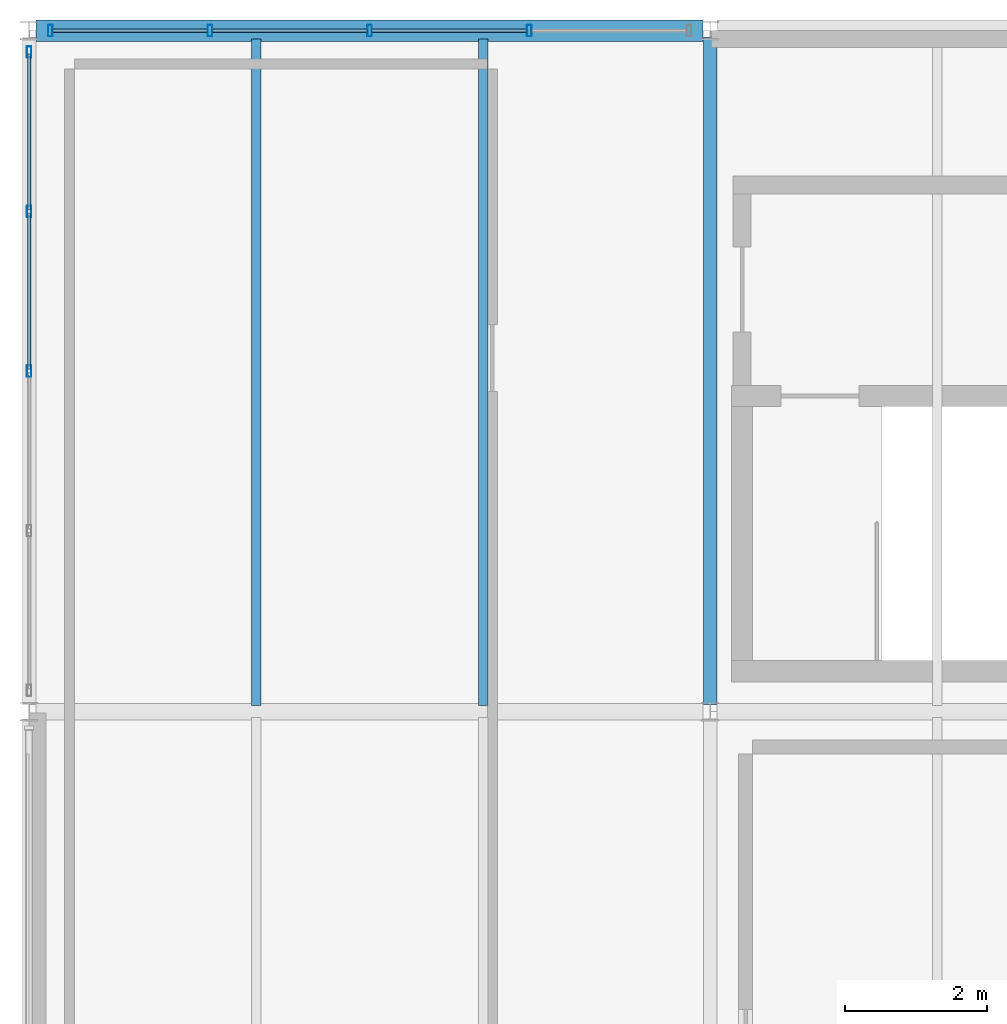
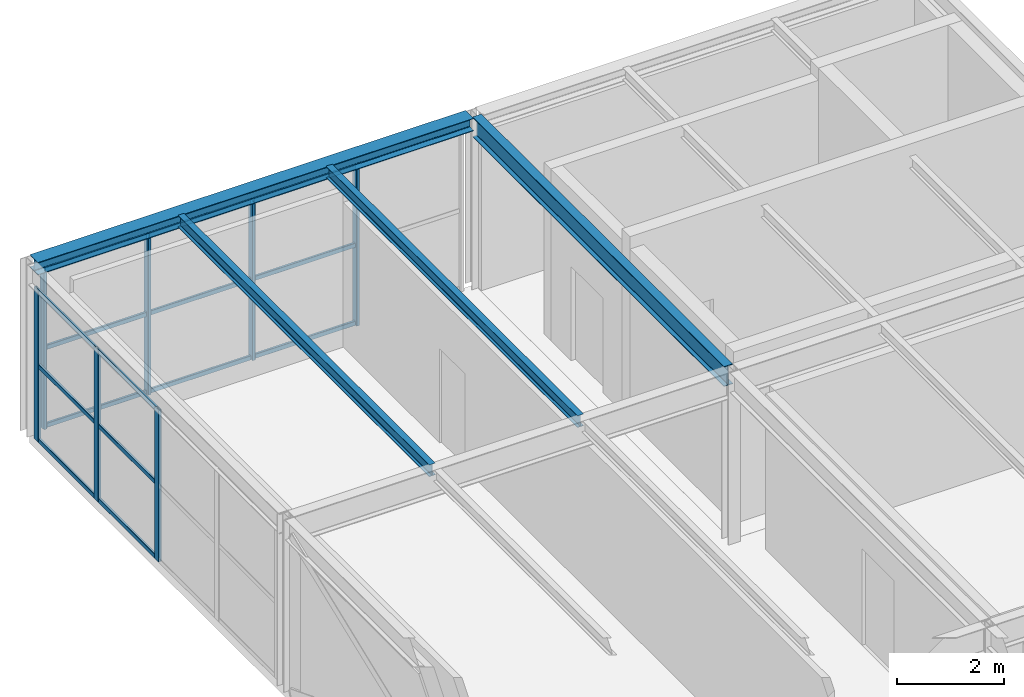
# One storey, part 26 of 33: 22 members, 4 beams, 2 elements without a shape of their own.
"""IFC4 building model written with IfcOpenShell, lengths in metres."""

from ifc_helpers import new_model, si_unit, direction, frame, origin, origin_2d, place, context, subcontext, project, spatial, hollow_rectangle, i_section, extrude, material, material_profile, profile_set, type_object, element, aggregate, save


model = new_model("IFC4")

# Units and contexts
model_context = context("Model", 3, precision=1e-05, world=origin(), true_north=direction((0.0, 1.0)))
body_context = subcontext(model_context, "Body", "Model", "MODEL_VIEW")
ifc_project = project(units=[si_unit("LENGTHUNIT", "METRE"), si_unit("AREAUNIT", "SQUARE_METRE"), si_unit("VOLUMEUNIT", "CUBIC_METRE"), si_unit("PLANEANGLEUNIT", "RADIAN"), si_unit("MASSUNIT", "GRAM", prefix="KILO")], contexts=[model_context])

# Site, building, storey
site_placement = place(None, origin())
site = spatial("IfcSite", under=ifc_project, at=site_placement, CompositionType="ELEMENT")
building_placement = place(site_placement, origin())
building = spatial("IfcBuilding", under=site, at=building_placement, Name="Coralgate Yard Interchange", CompositionType="ELEMENT")
storey_placement = place(building_placement, frame((0.0, 0.0, 23.10009765625)))
storey = spatial("IfcBuildingStorey", under=building, at=storey_placement, Name="L05", CompositionType="ELEMENT", Elevation=23.10009765625)

# Beams
ifc_material_1 = material(Name="Structural steel S355J2", Category="steel")
ifc_material_profile_1 = material_profile(ifc_material_1, i_section(OverallWidth=0.1904296875, OverallDepth=0.45703125, WebThickness=0.009033203125, FlangeThickness=0.014404296875, FilletRadius=0.01025390625, at=origin_2d()), Name="UB 457x191x74")
ifc_profile_set_1 = profile_set([ifc_material_profile_1], Name="Structural steel S355J2")
beam_type_1 = type_object("IfcBeamType", Name="BM-SB-2", PredefinedType="BEAM", material=ifc_profile_set_1)
beam_1_placement = place(storey_placement, frame((9.60009765625, 28.900146484375, 3.69140625), z_axis=(0.0, 1.0, 0.0), x_axis=(-1.0, 0.0, 0.0)))
element("IfcBeam", 1, at=beam_1_placement, inside=storey, type_object=beam_type_1, Name="L05 primary grid girder X1 Y3-4", PredefinedType="BEAM", context=body_context, shape_type="SweptSolid", body=[
    extrude(i_section(OverallWidth=0.1904296875, OverallDepth=0.45703125, WebThickness=0.009033203125, FlangeThickness=0.014404296875, FilletRadius=0.01025390625, at=origin_2d()), origin(), (0.0, 0.0, 1.0), 9.399658203125),
])
ifc_material_profile_2 = material_profile(ifc_material_1, i_section(OverallWidth=0.135009765625, OverallDepth=0.27001953125, WebThickness=0.006591796875, FlangeThickness=0.01025390625, FilletRadius=0.014892578125, at=origin_2d()), Name="IPE 270")
ifc_profile_set_2 = profile_set([ifc_material_profile_2], Name="Structural steel S355J2")
beam_type_2 = type_object("IfcBeamType", Name="BM-SJ-3", PredefinedType="JOIST", material=ifc_profile_set_2)
for number, where, z_axis, x_axis, name in (
    (2, (3.199951171875, 28.884033203125, 3.784912109375), (0.0, 1.0, 0.0), (-1.0, 0.0, 0.0), "L05 composite floor joist 0-3-1"),
    (3, (6.39990234375, 28.884033203125, 3.784912109375), (0.0, 1.0, 0.0), (-1.0, 0.0, 0.0), "L05 composite floor joist 0-3-2"),
):
    element("IfcBeam", number, at=place(storey_placement, frame(where, z_axis=z_axis, x_axis=x_axis)), inside=storey, type_object=beam_type_2, Name=name, PredefinedType="JOIST", context=body_context, shape_type="SweptSolid", body=[
        extrude(i_section(OverallWidth=0.135009765625, OverallDepth=0.27001953125, WebThickness=0.006591796875, FlangeThickness=0.01025390625, FilletRadius=0.014892578125, at=origin_2d()), origin(), (0.0, 0.0, 1.0), 9.39599609375),
    ])
ifc_material_profile_3 = material_profile(ifc_material_1, i_section(OverallWidth=0.300048828125, OverallDepth=0.2900390625, WebThickness=0.008544921875, FlangeThickness=0.013916015625, FilletRadius=0.027099609375, at=origin_2d()), Name="HEA 300")
ifc_profile_set_3 = profile_set([ifc_material_profile_3], Name="Structural steel S355J2")
beam_type_3 = type_object("IfcBeamType", Name="BM-SP-2", PredefinedType="SPANDREL", material=ifc_profile_set_3)
beam_2_placement = place(storey_placement, frame((0.09814453125, 38.39990234375, 3.77490234375), z_axis=(1.0, 0.0, 0.0), x_axis=(0.0, 1.0, 0.0)))
element("IfcBeam", 4, at=beam_2_placement, inside=storey, type_object=beam_type_3, Name="L05 primary grid beam Y4 X0-1", PredefinedType="SPANDREL", context=body_context, shape_type="SweptSolid", body=[
    extrude(i_section(OverallWidth=0.300048828125, OverallDepth=0.2900390625, WebThickness=0.008544921875, FlangeThickness=0.013916015625, FilletRadius=0.027099609375, at=origin_2d()), origin(), (0.0, 0.0, 1.0), 9.403564453125),
])

# Curtain wall, members
ifc_material_2 = material(Name="Anodised coastal aluminium and solar-control low-E glass", Category="aluminium")
curtain_wall_type = type_object("IfcCurtainWallType", Name="CW-CW-L05-A", PredefinedType="NOTDEFINED", material=ifc_material_2)
curtain_wall_1_placement = place(storey_placement, origin())
curtain_wall_1 = element("IfcCurtainWall", 5, at=curtain_wall_1_placement, inside=storey, type_object=curtain_wall_type, Name="L05 unitised curtain wall CW-L05-W-00-03", PredefinedType="NOTDEFINED")
ifc_material_3 = material(Name="Anodised coastal aluminium 6063-T6", Category="aluminium")
ifc_material_profile_4 = material_profile(ifc_material_3, hollow_rectangle(XDim=0.06494140625, YDim=0.159912109375, WallThickness=0.00390625, InnerFilletRadius=0.00390625, OuterFilletRadius=0.008056640625, at=origin_2d()), Name="ALU 65x160x4")
ifc_profile_set_4 = profile_set([ifc_material_profile_4], Name="Anodised coastal aluminium 6063-T6")
member_type_1 = type_object("IfcMemberType", Name="MB-MUL-160", PredefinedType="MULLION", material=ifc_profile_set_4)
member_1_placement = place(storey_placement, frame((0.0, 33.60009765625, 0.0), z_axis=(0.0, 0.0, 1.0), x_axis=(1.0, 0.0, 0.0)))
member_1 = element("IfcMember", 6, at=member_1_placement, type_object=member_type_1, Name="CW-L05-W-00-03 vertical mullion 3", PredefinedType="MULLION", context=body_context, shape_type="SweptSolid", body=[
    extrude(hollow_rectangle(XDim=0.06494140625, YDim=0.159912109375, WallThickness=0.00390625, InnerFilletRadius=0.00390625, OuterFilletRadius=0.008056640625, at=origin_2d()), origin(), (0.0, 0.0, 1.0), 3.462890625),
])
member_2_placement = place(storey_placement, frame((0.0, 35.85009765625, 0.0), z_axis=(0.0, 0.0, 1.0), x_axis=(1.0, 0.0, 0.0)))
member_2 = element("IfcMember", 7, at=member_2_placement, type_object=member_type_1, Name="CW-L05-W-00-03 vertical mullion 4", PredefinedType="MULLION", context=body_context, shape_type="SweptSolid", body=[
    extrude(hollow_rectangle(XDim=0.06494140625, YDim=0.159912109375, WallThickness=0.00390625, InnerFilletRadius=0.00390625, OuterFilletRadius=0.008056640625, at=origin_2d()), origin(), (0.0, 0.0, 1.0), 3.462890625),
])
member_3_placement = place(storey_placement, frame((0.0, 38.10009765625, 0.0), z_axis=(0.0, 0.0, 1.0), x_axis=(1.0, 0.0, 0.0)))
member_3 = element("IfcMember", 8, at=member_3_placement, type_object=member_type_1, Name="CW-L05-W-00-03 vertical mullion 5", PredefinedType="MULLION", context=body_context, shape_type="SweptSolid", body=[
    extrude(hollow_rectangle(XDim=0.06494140625, YDim=0.159912109375, WallThickness=0.00390625, InnerFilletRadius=0.00390625, OuterFilletRadius=0.008056640625, at=origin_2d()), origin(), (0.0, 0.0, 1.0), 3.462890625),
])

curtain_wall_2_placement = place(storey_placement, origin())
curtain_wall_2 = element("IfcCurtainWall", 9, at=curtain_wall_2_placement, inside=storey, type_object=curtain_wall_type, Name="L05 unitised curtain wall CW-L05-N-00-03", PredefinedType="NOTDEFINED")
member_4_placement = place(storey_placement, frame((0.300048828125, 38.39990234375, 0.0), z_axis=(0.0, 0.0, 1.0), x_axis=(1.0, 0.0, 0.0)))
member_4 = element("IfcMember", 10, at=member_4_placement, type_object=member_type_1, Name="CW-L05-N-00-03 vertical mullion 1", PredefinedType="MULLION", context=body_context, shape_type="SweptSolid", body=[
    extrude(hollow_rectangle(XDim=0.06494140625, YDim=0.159912109375, WallThickness=0.00390625, InnerFilletRadius=0.00390625, OuterFilletRadius=0.008056640625, at=origin_2d()), origin(), (0.0, 0.0, 1.0), 3.6298828125),
])
member_5_placement = place(storey_placement, frame((2.550048828125, 38.39990234375, 0.0), z_axis=(0.0, 0.0, 1.0), x_axis=(1.0, 0.0, 0.0)))
member_5 = element("IfcMember", 11, at=member_5_placement, type_object=member_type_1, Name="CW-L05-N-00-03 vertical mullion 2", PredefinedType="MULLION", context=body_context, shape_type="SweptSolid", body=[
    extrude(hollow_rectangle(XDim=0.06494140625, YDim=0.159912109375, WallThickness=0.00390625, InnerFilletRadius=0.00390625, OuterFilletRadius=0.008056640625, at=origin_2d()), origin(), (0.0, 0.0, 1.0), 3.6298828125),
])
member_6_placement = place(storey_placement, frame((4.800048828125, 38.39990234375, 0.0), z_axis=(0.0, 0.0, 1.0), x_axis=(1.0, 0.0, 0.0)))
member_6 = element("IfcMember", 12, at=member_6_placement, type_object=member_type_1, Name="CW-L05-N-00-03 vertical mullion 3", PredefinedType="MULLION", context=body_context, shape_type="SweptSolid", body=[
    extrude(hollow_rectangle(XDim=0.06494140625, YDim=0.159912109375, WallThickness=0.00390625, InnerFilletRadius=0.00390625, OuterFilletRadius=0.008056640625, at=origin_2d()), origin(), (0.0, 0.0, 1.0), 3.6298828125),
])
member_7_placement = place(storey_placement, frame((7.050048828125, 38.39990234375, 0.0), z_axis=(0.0, 0.0, 1.0), x_axis=(1.0, 0.0, 0.0)))
member_7 = element("IfcMember", 13, at=member_7_placement, type_object=member_type_1, Name="CW-L05-N-00-03 vertical mullion 4", PredefinedType="MULLION", context=body_context, shape_type="SweptSolid", body=[
    extrude(hollow_rectangle(XDim=0.06494140625, YDim=0.159912109375, WallThickness=0.00390625, InnerFilletRadius=0.00390625, OuterFilletRadius=0.008056640625, at=origin_2d()), origin(), (0.0, 0.0, 1.0), 3.6298828125),
])

# Member
ifc_material_profile_5 = material_profile(ifc_material_3, hollow_rectangle(XDim=0.050048828125, YDim=0.10009765625, WallThickness=0.0029296875, InnerFilletRadius=0.0029296875, OuterFilletRadius=0.006103515625, at=origin_2d()), Name="ALU 50x100x3")
ifc_profile_set_5 = profile_set([ifc_material_profile_5], Name="Anodised coastal aluminium 6063-T6")
member_type_2 = type_object("IfcMemberType", Name="MB-TRN-100", PredefinedType="USERDEFINED", material=ifc_profile_set_5)
member_8_placement = place(storey_placement, frame((0.0, 33.6298828125, 0.034912109375), z_axis=(0.0, 1.0, 0.0), x_axis=(-1.0, 0.0, 0.0)))
member_8 = element("IfcMember", 14, at=member_8_placement, type_object=member_type_2, Name="CW-L05-W-00-03 horizontal transom 3-1", ObjectType="TRANSOM", PredefinedType="USERDEFINED", context=body_context, shape_type="SweptSolid", body=[
    extrude(hollow_rectangle(XDim=0.050048828125, YDim=0.10009765625, WallThickness=0.0029296875, InnerFilletRadius=0.0029296875, OuterFilletRadius=0.006103515625, at=origin_2d()), origin(), (0.0, 0.0, 1.0), 2.190185546875),
])

member_9_placement = place(storey_placement, frame((0.0, 33.6298828125, 1.7314453125), z_axis=(0.0, 1.0, 0.0), x_axis=(-1.0, 0.0, 0.0)))
member_9 = element("IfcMember", 15, at=member_9_placement, type_object=member_type_2, Name="CW-L05-W-00-03 horizontal transom 3-2", ObjectType="TRANSOM", PredefinedType="USERDEFINED", context=body_context, shape_type="SweptSolid", body=[
    extrude(hollow_rectangle(XDim=0.050048828125, YDim=0.10009765625, WallThickness=0.0029296875, InnerFilletRadius=0.0029296875, OuterFilletRadius=0.006103515625, at=origin_2d()), origin(), (0.0, 0.0, 1.0), 2.190185546875),
])

member_10_placement = place(storey_placement, frame((0.0, 33.6298828125, 3.427978515625), z_axis=(0.0, 1.0, 0.0), x_axis=(-1.0, 0.0, 0.0)))
member_10 = element("IfcMember", 16, at=member_10_placement, type_object=member_type_2, Name="CW-L05-W-00-03 horizontal transom 3-3", ObjectType="TRANSOM", PredefinedType="USERDEFINED", context=body_context, shape_type="SweptSolid", body=[
    extrude(hollow_rectangle(XDim=0.050048828125, YDim=0.10009765625, WallThickness=0.0029296875, InnerFilletRadius=0.0029296875, OuterFilletRadius=0.006103515625, at=origin_2d()), origin(), (0.0, 0.0, 1.0), 2.190185546875),
])

member_11_placement = place(storey_placement, frame((0.0, 35.8798828125, 0.034912109375), z_axis=(0.0, 1.0, 0.0), x_axis=(-1.0, 0.0, 0.0)))
member_11 = element("IfcMember", 17, at=member_11_placement, type_object=member_type_2, Name="CW-L05-W-00-03 horizontal transom 4-1", ObjectType="TRANSOM", PredefinedType="USERDEFINED", context=body_context, shape_type="SweptSolid", body=[
    extrude(hollow_rectangle(XDim=0.050048828125, YDim=0.10009765625, WallThickness=0.0029296875, InnerFilletRadius=0.0029296875, OuterFilletRadius=0.006103515625, at=origin_2d()), origin(), (0.0, 0.0, 1.0), 2.190185546875),
])

member_12_placement = place(storey_placement, frame((0.0, 35.8798828125, 1.7314453125), z_axis=(0.0, 1.0, 0.0), x_axis=(-1.0, 0.0, 0.0)))
member_12 = element("IfcMember", 18, at=member_12_placement, type_object=member_type_2, Name="CW-L05-W-00-03 horizontal transom 4-2", ObjectType="TRANSOM", PredefinedType="USERDEFINED", context=body_context, shape_type="SweptSolid", body=[
    extrude(hollow_rectangle(XDim=0.050048828125, YDim=0.10009765625, WallThickness=0.0029296875, InnerFilletRadius=0.0029296875, OuterFilletRadius=0.006103515625, at=origin_2d()), origin(), (0.0, 0.0, 1.0), 2.190185546875),
])

member_13_placement = place(storey_placement, frame((0.0, 35.8798828125, 3.427978515625), z_axis=(0.0, 1.0, 0.0), x_axis=(-1.0, 0.0, 0.0)))
member_13 = element("IfcMember", 19, at=member_13_placement, type_object=member_type_2, Name="CW-L05-W-00-03 horizontal transom 4-3", ObjectType="TRANSOM", PredefinedType="USERDEFINED", context=body_context, shape_type="SweptSolid", body=[
    extrude(hollow_rectangle(XDim=0.050048828125, YDim=0.10009765625, WallThickness=0.0029296875, InnerFilletRadius=0.0029296875, OuterFilletRadius=0.006103515625, at=origin_2d()), origin(), (0.0, 0.0, 1.0), 2.190185546875),
])

aggregate(curtain_wall_1, [member_1, member_2, member_3, member_8, member_9, member_10, member_11, member_12, member_13])

member_14_placement = place(storey_placement, frame((0.330078125, 38.39990234375, 0.034912109375), z_axis=(1.0, 0.0, 0.0), x_axis=(0.0, 1.0, 0.0)))
member_14 = element("IfcMember", 20, at=member_14_placement, type_object=member_type_2, Name="CW-L05-N-00-03 horizontal transom 1-1", ObjectType="TRANSOM", PredefinedType="USERDEFINED", context=body_context, shape_type="SweptSolid", body=[
    extrude(hollow_rectangle(XDim=0.050048828125, YDim=0.10009765625, WallThickness=0.0029296875, InnerFilletRadius=0.0029296875, OuterFilletRadius=0.006103515625, at=origin_2d()), origin(), (0.0, 0.0, 1.0), 2.18994140625),
])

member_15_placement = place(storey_placement, frame((0.330078125, 38.39990234375, 1.81494140625), z_axis=(1.0, 0.0, 0.0), x_axis=(0.0, 1.0, 0.0)))
member_15 = element("IfcMember", 21, at=member_15_placement, type_object=member_type_2, Name="CW-L05-N-00-03 horizontal transom 1-2", ObjectType="TRANSOM", PredefinedType="USERDEFINED", context=body_context, shape_type="SweptSolid", body=[
    extrude(hollow_rectangle(XDim=0.050048828125, YDim=0.10009765625, WallThickness=0.0029296875, InnerFilletRadius=0.0029296875, OuterFilletRadius=0.006103515625, at=origin_2d()), origin(), (0.0, 0.0, 1.0), 2.18994140625),
])

member_16_placement = place(storey_placement, frame((0.330078125, 38.39990234375, 3.594970703125), z_axis=(1.0, 0.0, 0.0), x_axis=(0.0, 1.0, 0.0)))
member_16 = element("IfcMember", 22, at=member_16_placement, type_object=member_type_2, Name="CW-L05-N-00-03 horizontal transom 1-3", ObjectType="TRANSOM", PredefinedType="USERDEFINED", context=body_context, shape_type="SweptSolid", body=[
    extrude(hollow_rectangle(XDim=0.050048828125, YDim=0.10009765625, WallThickness=0.0029296875, InnerFilletRadius=0.0029296875, OuterFilletRadius=0.006103515625, at=origin_2d()), origin(), (0.0, 0.0, 1.0), 2.18994140625),
])

member_17_placement = place(storey_placement, frame((2.580078125, 38.39990234375, 0.034912109375), z_axis=(1.0, 0.0, 0.0), x_axis=(0.0, 1.0, 0.0)))
member_17 = element("IfcMember", 23, at=member_17_placement, type_object=member_type_2, Name="CW-L05-N-00-03 horizontal transom 2-1", ObjectType="TRANSOM", PredefinedType="USERDEFINED", context=body_context, shape_type="SweptSolid", body=[
    extrude(hollow_rectangle(XDim=0.050048828125, YDim=0.10009765625, WallThickness=0.0029296875, InnerFilletRadius=0.0029296875, OuterFilletRadius=0.006103515625, at=origin_2d()), origin(), (0.0, 0.0, 1.0), 2.18994140625),
])

member_18_placement = place(storey_placement, frame((2.580078125, 38.39990234375, 1.81494140625), z_axis=(1.0, 0.0, 0.0), x_axis=(0.0, 1.0, 0.0)))
member_18 = element("IfcMember", 24, at=member_18_placement, type_object=member_type_2, Name="CW-L05-N-00-03 horizontal transom 2-2", ObjectType="TRANSOM", PredefinedType="USERDEFINED", context=body_context, shape_type="SweptSolid", body=[
    extrude(hollow_rectangle(XDim=0.050048828125, YDim=0.10009765625, WallThickness=0.0029296875, InnerFilletRadius=0.0029296875, OuterFilletRadius=0.006103515625, at=origin_2d()), origin(), (0.0, 0.0, 1.0), 2.18994140625),
])

member_19_placement = place(storey_placement, frame((2.580078125, 38.39990234375, 3.594970703125), z_axis=(1.0, 0.0, 0.0), x_axis=(0.0, 1.0, 0.0)))
member_19 = element("IfcMember", 25, at=member_19_placement, type_object=member_type_2, Name="CW-L05-N-00-03 horizontal transom 2-3", ObjectType="TRANSOM", PredefinedType="USERDEFINED", context=body_context, shape_type="SweptSolid", body=[
    extrude(hollow_rectangle(XDim=0.050048828125, YDim=0.10009765625, WallThickness=0.0029296875, InnerFilletRadius=0.0029296875, OuterFilletRadius=0.006103515625, at=origin_2d()), origin(), (0.0, 0.0, 1.0), 2.18994140625),
])

member_20_placement = place(storey_placement, frame((4.830078125, 38.39990234375, 0.034912109375), z_axis=(1.0, 0.0, 0.0), x_axis=(0.0, 1.0, 0.0)))
member_20 = element("IfcMember", 26, at=member_20_placement, type_object=member_type_2, Name="CW-L05-N-00-03 horizontal transom 3-1", ObjectType="TRANSOM", PredefinedType="USERDEFINED", context=body_context, shape_type="SweptSolid", body=[
    extrude(hollow_rectangle(XDim=0.050048828125, YDim=0.10009765625, WallThickness=0.0029296875, InnerFilletRadius=0.0029296875, OuterFilletRadius=0.006103515625, at=origin_2d()), origin(), (0.0, 0.0, 1.0), 2.18994140625),
])

member_21_placement = place(storey_placement, frame((4.830078125, 38.39990234375, 1.81494140625), z_axis=(1.0, 0.0, 0.0), x_axis=(0.0, 1.0, 0.0)))
member_21 = element("IfcMember", 27, at=member_21_placement, type_object=member_type_2, Name="CW-L05-N-00-03 horizontal transom 3-2", ObjectType="TRANSOM", PredefinedType="USERDEFINED", context=body_context, shape_type="SweptSolid", body=[
    extrude(hollow_rectangle(XDim=0.050048828125, YDim=0.10009765625, WallThickness=0.0029296875, InnerFilletRadius=0.0029296875, OuterFilletRadius=0.006103515625, at=origin_2d()), origin(), (0.0, 0.0, 1.0), 2.18994140625),
])

member_22_placement = place(storey_placement, frame((4.830078125, 38.39990234375, 3.594970703125), z_axis=(1.0, 0.0, 0.0), x_axis=(0.0, 1.0, 0.0)))
member_22 = element("IfcMember", 28, at=member_22_placement, type_object=member_type_2, Name="CW-L05-N-00-03 horizontal transom 3-3", ObjectType="TRANSOM", PredefinedType="USERDEFINED", context=body_context, shape_type="SweptSolid", body=[
    extrude(hollow_rectangle(XDim=0.050048828125, YDim=0.10009765625, WallThickness=0.0029296875, InnerFilletRadius=0.0029296875, OuterFilletRadius=0.006103515625, at=origin_2d()), origin(), (0.0, 0.0, 1.0), 2.18994140625),
])

aggregate(curtain_wall_2, [member_4, member_5, member_6, member_7, member_14, member_15, member_16, member_17, member_18, member_19, member_20, member_21, member_22])

save(model, "model.ifc")
